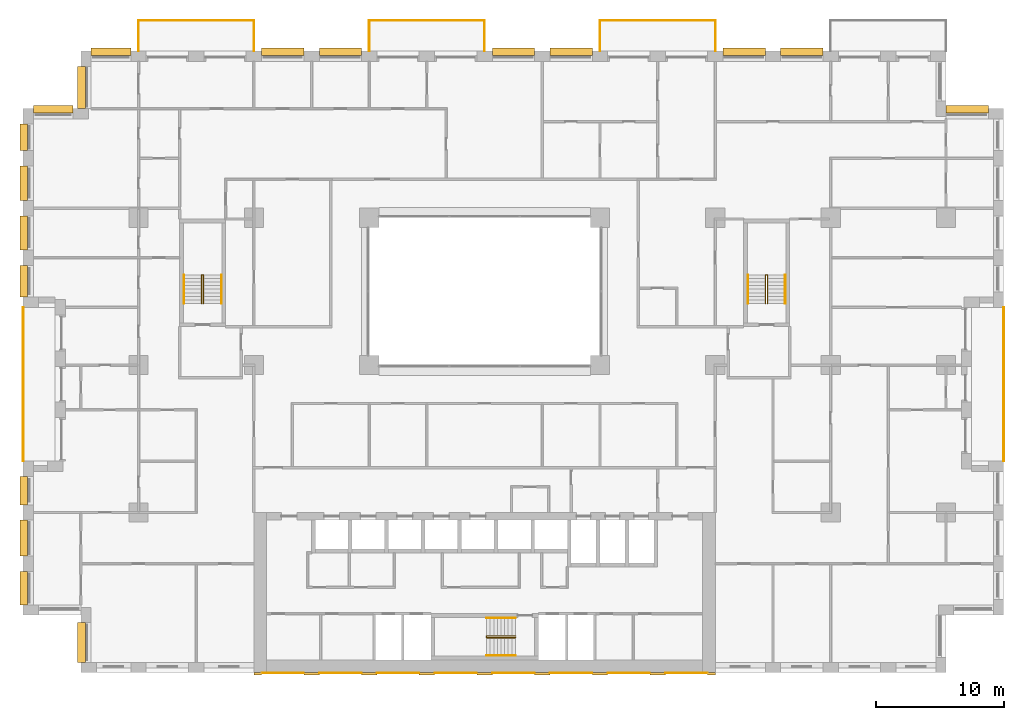
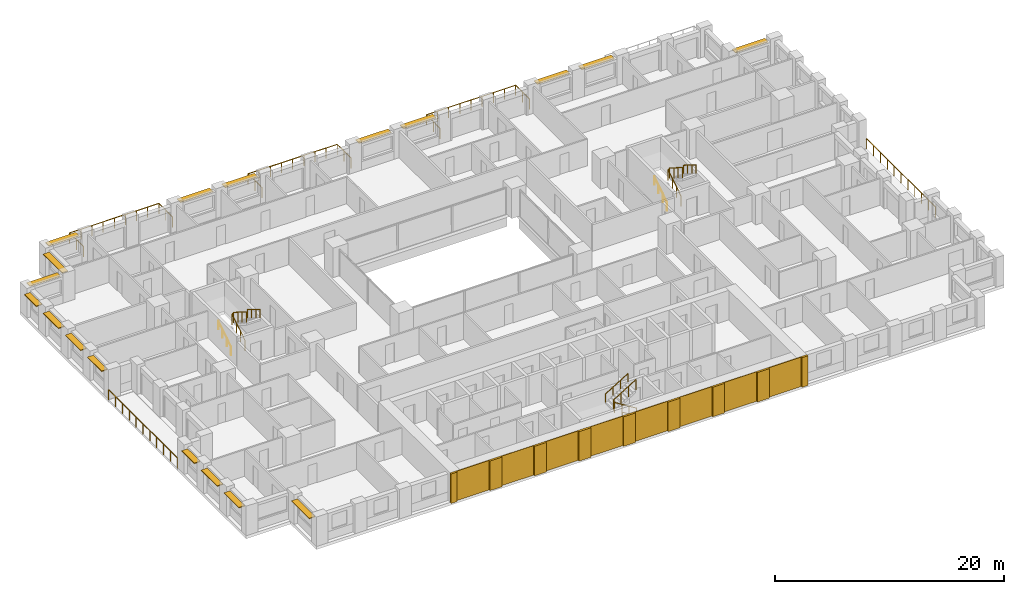
# One storey, part 19 of 20: 18 shading devices, 17 coverings, 14 railings.
"""IFC4 building model written with IfcOpenShell, lengths in metres."""

from ifc_helpers import new_model, si_unit, direction, frame, origin, origin_2d, place, context, subcontext, project, spatial, rectangle, circle, extrude, material, layer, layer_set, type_object, element, save


model = new_model("IFC4")

# Units and contexts
model_context = context("Model", 3, precision=1e-05, world=origin(), true_north=direction((0.0, 1.0)))
body_context = subcontext(model_context, "Body", "Model", "MODEL_VIEW")
ifc_project = project(units=[si_unit("LENGTHUNIT", "METRE"), si_unit("AREAUNIT", "SQUARE_METRE"), si_unit("VOLUMEUNIT", "CUBIC_METRE"), si_unit("PLANEANGLEUNIT", "RADIAN"), si_unit("MASSUNIT", "GRAM", prefix="KILO")], contexts=[model_context])

# Site, building, storey
site_placement = place(None, origin())
site = spatial("IfcSite", under=ifc_project, at=site_placement, CompositionType="ELEMENT")
building_placement = place(site_placement, origin())
building = spatial("IfcBuilding", under=site, at=building_placement, Name="Brigalow Station Residences", CompositionType="ELEMENT")
storey_placement = place(building_placement, frame((0.0, 0.0, 38.39990234375)))
storey = spatial("IfcBuildingStorey", under=building, at=storey_placement, Name="L10", CompositionType="ELEMENT", Elevation=38.39990234375)

# Railings
ifc_material_1 = material(Name="Stainless steel balustrade with laminated glass infill", Category="steel")
railing_type_1 = type_object("IfcRailingType", Name="BALCONY GUARD 1100", PredefinedType="GUARDRAIL", material=ifc_material_1)
railing_1_placement = place(storey_placement, frame((76.5, 16.5, -0.039794921875)))
element("IfcRailing", 1, at=railing_1_placement, inside=storey, type_object=railing_type_1, Name="L10/balcony-guard/1", PredefinedType="GUARDRAIL", context=body_context, shape_type="SweptSolid", body=[
    extrude(circle(Radius=0.02392578125, at=origin_2d()), frame((0.0, 0.0, 1.076171875), z_axis=(0.0, 1.0, 0.0), x_axis=(-1.0, 0.0, 0.0)), (0.0, 0.0, 1.0), 12.0),
    extrude(circle(Radius=0.02099609375, at=origin_2d()), origin(), (0.0, 0.0, 1.0), 1.052001953125),
    extrude(circle(Radius=0.02099609375, at=origin_2d()), frame((0.0, 1.199951171875, 0.0)), (0.0, 0.0, 1.0), 1.052001953125),
    extrude(circle(Radius=0.02099609375, at=origin_2d()), frame((0.0, 2.39990234375, 0.0)), (0.0, 0.0, 1.0), 1.052001953125),
    extrude(circle(Radius=0.02099609375, at=origin_2d()), frame((0.0, 3.60009765625, 0.0)), (0.0, 0.0, 1.0), 1.052001953125),
    extrude(circle(Radius=0.02099609375, at=origin_2d()), frame((0.0, 4.800048828125, 0.0)), (0.0, 0.0, 1.0), 1.052001953125),
    extrude(circle(Radius=0.02099609375, at=origin_2d()), frame((0.0, 6.0, 0.0)), (0.0, 0.0, 1.0), 1.052001953125),
    extrude(circle(Radius=0.02099609375, at=origin_2d()), frame((0.0, 7.199951171875, 0.0)), (0.0, 0.0, 1.0), 1.052001953125),
    extrude(circle(Radius=0.02099609375, at=origin_2d()), frame((0.0, 8.39990234375, 0.0)), (0.0, 0.0, 1.0), 1.052001953125),
    extrude(circle(Radius=0.02099609375, at=origin_2d()), frame((0.0, 9.60009765625, 0.0)), (0.0, 0.0, 1.0), 1.052001953125),
    extrude(circle(Radius=0.02099609375, at=origin_2d()), frame((0.0, 10.800048828125, 0.0)), (0.0, 0.0, 1.0), 1.052001953125),
    extrude(circle(Radius=0.02099609375, at=origin_2d()), frame((0.0, 12.0, 0.0)), (0.0, 0.0, 1.0), 1.052001953125),
])
railing_2_placement = place(storey_placement, frame((54.0, 48.5, -0.039794921875)))
element("IfcRailing", 2, at=railing_2_placement, inside=storey, type_object=railing_type_1, Name="L10/balcony-guard/3", PredefinedType="GUARDRAIL", context=body_context, shape_type="SweptSolid", body=[
    extrude(circle(Radius=0.02392578125, at=origin_2d()), frame((0.0, 0.0, 1.076171875), z_axis=(0.0, 1.0, 0.0), x_axis=(-1.0, 0.0, 0.0)), (0.0, 0.0, 1.0), 2.39990234375),
    extrude(circle(Radius=0.02392578125, at=origin_2d()), frame((0.0, 2.39990234375, 1.076171875), z_axis=(-1.0, 0.0, 0.0), x_axis=(0.0, -1.0, 0.0)), (0.0, 0.0, 1.0), 9.0),
    extrude(circle(Radius=0.02392578125, at=origin_2d()), frame((-9.0, 2.39990234375, 1.076171875), z_axis=(0.0, -1.0, 0.0), x_axis=(1.0, 0.0, 0.0)), (0.0, 0.0, 1.0), 2.39990234375),
    extrude(circle(Radius=0.02099609375, at=origin_2d()), origin(), (0.0, 0.0, 1.0), 1.052001953125),
    extrude(circle(Radius=0.02099609375, at=origin_2d()), frame((0.0, 1.199951171875, 0.0)), (0.0, 0.0, 1.0), 1.052001953125),
    extrude(circle(Radius=0.02099609375, at=origin_2d()), frame((0.0, 2.39990234375, 0.0)), (0.0, 0.0, 1.0), 1.052001953125),
    extrude(circle(Radius=0.02099609375, at=origin_2d()), frame((-1.125, 2.39990234375, 0.0)), (0.0, 0.0, 1.0), 1.052001953125),
    extrude(circle(Radius=0.02099609375, at=origin_2d()), frame((-2.25, 2.39990234375, 0.0)), (0.0, 0.0, 1.0), 1.052001953125),
    extrude(circle(Radius=0.02099609375, at=origin_2d()), frame((-3.375, 2.39990234375, 0.0)), (0.0, 0.0, 1.0), 1.052001953125),
    extrude(circle(Radius=0.02099609375, at=origin_2d()), frame((-4.5, 2.39990234375, 0.0)), (0.0, 0.0, 1.0), 1.052001953125),
    extrude(circle(Radius=0.02099609375, at=origin_2d()), frame((-5.625, 2.39990234375, 0.0)), (0.0, 0.0, 1.0), 1.052001953125),
    extrude(circle(Radius=0.02099609375, at=origin_2d()), frame((-6.75, 2.39990234375, 0.0)), (0.0, 0.0, 1.0), 1.052001953125),
    extrude(circle(Radius=0.02099609375, at=origin_2d()), frame((-7.875, 2.39990234375, 0.0)), (0.0, 0.0, 1.0), 1.052001953125),
    extrude(circle(Radius=0.02099609375, at=origin_2d()), frame((-9.0, 2.39990234375, 0.0)), (0.0, 0.0, 1.0), 1.052001953125),
    extrude(circle(Radius=0.02099609375, at=origin_2d()), frame((-9.0, 1.199951171875, 0.0)), (0.0, 0.0, 1.0), 1.052001953125),
    extrude(circle(Radius=0.02099609375, at=origin_2d()), frame((-9.0, 0.0, 0.0)), (0.0, 0.0, 1.0), 1.052001953125),
])
railing_3_placement = place(storey_placement, frame((36.0, 48.5, -0.039794921875)))
element("IfcRailing", 3, at=railing_3_placement, inside=storey, type_object=railing_type_1, Name="L10/balcony-guard/4", PredefinedType="GUARDRAIL", context=body_context, shape_type="SweptSolid", body=[
    extrude(circle(Radius=0.02392578125, at=origin_2d()), frame((0.0, 0.0, 1.076171875), z_axis=(0.0, 1.0, 0.0), x_axis=(-1.0, 0.0, 0.0)), (0.0, 0.0, 1.0), 2.39990234375),
    extrude(circle(Radius=0.02392578125, at=origin_2d()), frame((0.0, 2.39990234375, 1.076171875), z_axis=(-1.0, 0.0, 0.0), x_axis=(0.0, -1.0, 0.0)), (0.0, 0.0, 1.0), 9.0),
    extrude(circle(Radius=0.02392578125, at=origin_2d()), frame((-9.0, 2.39990234375, 1.076171875), z_axis=(0.0, -1.0, 0.0), x_axis=(1.0, 0.0, 0.0)), (0.0, 0.0, 1.0), 2.39990234375),
    extrude(circle(Radius=0.02099609375, at=origin_2d()), origin(), (0.0, 0.0, 1.0), 1.052001953125),
    extrude(circle(Radius=0.02099609375, at=origin_2d()), frame((0.0, 1.199951171875, 0.0)), (0.0, 0.0, 1.0), 1.052001953125),
    extrude(circle(Radius=0.02099609375, at=origin_2d()), frame((0.0, 2.39990234375, 0.0)), (0.0, 0.0, 1.0), 1.052001953125),
    extrude(circle(Radius=0.02099609375, at=origin_2d()), frame((-1.125, 2.39990234375, 0.0)), (0.0, 0.0, 1.0), 1.052001953125),
    extrude(circle(Radius=0.02099609375, at=origin_2d()), frame((-2.25, 2.39990234375, 0.0)), (0.0, 0.0, 1.0), 1.052001953125),
    extrude(circle(Radius=0.02099609375, at=origin_2d()), frame((-3.375, 2.39990234375, 0.0)), (0.0, 0.0, 1.0), 1.052001953125),
    extrude(circle(Radius=0.02099609375, at=origin_2d()), frame((-4.5, 2.39990234375, 0.0)), (0.0, 0.0, 1.0), 1.052001953125),
    extrude(circle(Radius=0.02099609375, at=origin_2d()), frame((-5.625, 2.39990234375, 0.0)), (0.0, 0.0, 1.0), 1.052001953125),
    extrude(circle(Radius=0.02099609375, at=origin_2d()), frame((-6.75, 2.39990234375, 0.0)), (0.0, 0.0, 1.0), 1.052001953125),
    extrude(circle(Radius=0.02099609375, at=origin_2d()), frame((-7.875, 2.39990234375, 0.0)), (0.0, 0.0, 1.0), 1.052001953125),
    extrude(circle(Radius=0.02099609375, at=origin_2d()), frame((-9.0, 2.39990234375, 0.0)), (0.0, 0.0, 1.0), 1.052001953125),
    extrude(circle(Radius=0.02099609375, at=origin_2d()), frame((-9.0, 1.199951171875, 0.0)), (0.0, 0.0, 1.0), 1.052001953125),
    extrude(circle(Radius=0.02099609375, at=origin_2d()), frame((-9.0, 0.0, 0.0)), (0.0, 0.0, 1.0), 1.052001953125),
])
railing_4_placement = place(storey_placement, frame((18.0, 48.5, -0.039794921875)))
element("IfcRailing", 4, at=railing_4_placement, inside=storey, type_object=railing_type_1, Name="L10/balcony-guard/5", PredefinedType="GUARDRAIL", context=body_context, shape_type="SweptSolid", body=[
    extrude(circle(Radius=0.02392578125, at=origin_2d()), frame((0.0, 0.0, 1.076171875), z_axis=(0.0, 1.0, 0.0), x_axis=(-1.0, 0.0, 0.0)), (0.0, 0.0, 1.0), 2.39990234375),
    extrude(circle(Radius=0.02392578125, at=origin_2d()), frame((0.0, 2.39990234375, 1.076171875), z_axis=(-1.0, 0.0, 0.0), x_axis=(0.0, -1.0, 0.0)), (0.0, 0.0, 1.0), 9.0),
    extrude(circle(Radius=0.02392578125, at=origin_2d()), frame((-9.0, 2.39990234375, 1.076171875), z_axis=(0.0, -1.0, 0.0), x_axis=(1.0, 0.0, 0.0)), (0.0, 0.0, 1.0), 2.39990234375),
    extrude(circle(Radius=0.02099609375, at=origin_2d()), origin(), (0.0, 0.0, 1.0), 1.052001953125),
    extrude(circle(Radius=0.02099609375, at=origin_2d()), frame((0.0, 1.199951171875, 0.0)), (0.0, 0.0, 1.0), 1.052001953125),
    extrude(circle(Radius=0.02099609375, at=origin_2d()), frame((0.0, 2.39990234375, 0.0)), (0.0, 0.0, 1.0), 1.052001953125),
    extrude(circle(Radius=0.02099609375, at=origin_2d()), frame((-1.125, 2.39990234375, 0.0)), (0.0, 0.0, 1.0), 1.052001953125),
    extrude(circle(Radius=0.02099609375, at=origin_2d()), frame((-2.25, 2.39990234375, 0.0)), (0.0, 0.0, 1.0), 1.052001953125),
    extrude(circle(Radius=0.02099609375, at=origin_2d()), frame((-3.375, 2.39990234375, 0.0)), (0.0, 0.0, 1.0), 1.052001953125),
    extrude(circle(Radius=0.02099609375, at=origin_2d()), frame((-4.5, 2.39990234375, 0.0)), (0.0, 0.0, 1.0), 1.052001953125),
    extrude(circle(Radius=0.02099609375, at=origin_2d()), frame((-5.625, 2.39990234375, 0.0)), (0.0, 0.0, 1.0), 1.052001953125),
    extrude(circle(Radius=0.02099609375, at=origin_2d()), frame((-6.75, 2.39990234375, 0.0)), (0.0, 0.0, 1.0), 1.052001953125),
    extrude(circle(Radius=0.02099609375, at=origin_2d()), frame((-7.875, 2.39990234375, 0.0)), (0.0, 0.0, 1.0), 1.052001953125),
    extrude(circle(Radius=0.02099609375, at=origin_2d()), frame((-9.0, 2.39990234375, 0.0)), (0.0, 0.0, 1.0), 1.052001953125),
    extrude(circle(Radius=0.02099609375, at=origin_2d()), frame((-9.0, 1.199951171875, 0.0)), (0.0, 0.0, 1.0), 1.052001953125),
    extrude(circle(Radius=0.02099609375, at=origin_2d()), frame((-9.0, 0.0, 0.0)), (0.0, 0.0, 1.0), 1.052001953125),
])
railing_5_placement = place(storey_placement, frame((0.0, 28.5, -0.039794921875)))
element("IfcRailing", 5, at=railing_5_placement, inside=storey, type_object=railing_type_1, Name="L10/balcony-guard/6", PredefinedType="GUARDRAIL", context=body_context, shape_type="SweptSolid", body=[
    extrude(circle(Radius=0.02392578125, at=origin_2d()), frame((0.0, 0.0, 1.076171875), z_axis=(0.0, -1.0, 0.0), x_axis=(1.0, 0.0, 0.0)), (0.0, 0.0, 1.0), 12.0),
    extrude(circle(Radius=0.02099609375, at=origin_2d()), origin(), (0.0, 0.0, 1.0), 1.052001953125),
    extrude(circle(Radius=0.02099609375, at=origin_2d()), frame((0.0, -1.199951171875, 0.0)), (0.0, 0.0, 1.0), 1.052001953125),
    extrude(circle(Radius=0.02099609375, at=origin_2d()), frame((0.0, -2.39990234375, 0.0)), (0.0, 0.0, 1.0), 1.052001953125),
    extrude(circle(Radius=0.02099609375, at=origin_2d()), frame((0.0, -3.60009765625, 0.0)), (0.0, 0.0, 1.0), 1.052001953125),
    extrude(circle(Radius=0.02099609375, at=origin_2d()), frame((0.0, -4.800048828125, 0.0)), (0.0, 0.0, 1.0), 1.052001953125),
    extrude(circle(Radius=0.02099609375, at=origin_2d()), frame((0.0, -6.0, 0.0)), (0.0, 0.0, 1.0), 1.052001953125),
    extrude(circle(Radius=0.02099609375, at=origin_2d()), frame((0.0, -7.199951171875, 0.0)), (0.0, 0.0, 1.0), 1.052001953125),
    extrude(circle(Radius=0.02099609375, at=origin_2d()), frame((0.0, -8.39990234375, 0.0)), (0.0, 0.0, 1.0), 1.052001953125),
    extrude(circle(Radius=0.02099609375, at=origin_2d()), frame((0.0, -9.60009765625, 0.0)), (0.0, 0.0, 1.0), 1.052001953125),
    extrude(circle(Radius=0.02099609375, at=origin_2d()), frame((0.0, -10.800048828125, 0.0)), (0.0, 0.0, 1.0), 1.052001953125),
    extrude(circle(Radius=0.02099609375, at=origin_2d()), frame((0.0, -12.0, 0.0)), (0.0, 0.0, 1.0), 1.052001953125),
])

# Coverings
ifc_material_2 = material(Name="Clay brick masonry", Category="masonry")
ifc_layer_1 = layer(ifc_material_2, 0.06005859375)
ifc_layer_set_1 = layer_set([ifc_layer_1], Name="BRICK PANEL FACING 60")
covering_type_1 = type_object("IfcCoveringType", Name="BRICK PANEL FACING 60", PredefinedType="CLADDING", material=ifc_layer_set_1)
for number, where, z_axis, x_axis, name in (
    (6, (20.25, -0.030029296875, 0.000244140625), (0.0, 0.0, 1.0), (1.0, 0.0, 0.0), "L10/rear-facing/panel-1"),
    (7, (24.75, -0.030029296875, 0.000244140625), (0.0, 0.0, 1.0), (1.0, 0.0, 0.0), "L10/rear-facing/panel-2"),
    (8, (29.25, -0.030029296875, 0.000244140625), (0.0, 0.0, 1.0), (1.0, 0.0, 0.0), "L10/rear-facing/panel-3"),
    (9, (33.75, -0.030029296875, 0.000244140625), (0.0, 0.0, 1.0), (1.0, 0.0, 0.0), "L10/rear-facing/panel-4"),
    (10, (38.25, -0.030029296875, 0.000244140625), (0.0, 0.0, 1.0), (1.0, 0.0, 0.0), "L10/rear-facing/panel-5"),
    (11, (42.75, -0.030029296875, 0.000244140625), (0.0, 0.0, 1.0), (1.0, 0.0, 0.0), "L10/rear-facing/panel-6"),
    (12, (47.25, -0.030029296875, 0.000244140625), (0.0, 0.0, 1.0), (1.0, 0.0, 0.0), "L10/rear-facing/panel-7"),
    (13, (51.75, -0.030029296875, 0.000244140625), (0.0, 0.0, 1.0), (1.0, 0.0, 0.0), "L10/rear-facing/panel-8"),
):
    element("IfcCovering", number, at=place(storey_placement, frame(where, z_axis=z_axis, x_axis=x_axis)), inside=storey, type_object=covering_type_1, Name=name, PredefinedType="CLADDING", context=body_context, shape_type="SweptSolid", body=[
        extrude(rectangle(XDim=3.300048828125, YDim=0.06005859375, at=origin_2d()), origin(), (0.0, 0.0, 1.0), 3.14990234375),
    ])
ifc_material_3 = material(Name="Clay brick masonry", Category="masonry")
ifc_layer_2 = layer(ifc_material_3, 0.199951171875)
ifc_layer_set_2 = layer_set([ifc_layer_2], Name="BRICK PIER FACING 200")
covering_type_2 = type_object("IfcCoveringType", Name="BRICK PIER FACING 200", PredefinedType="CLADDING", material=ifc_layer_set_2)
covering_1_placement = place(storey_placement, frame((18.300048828125, -0.10009765625, 0.000244140625), z_axis=(0.0, 0.0, 1.0), x_axis=(1.0, 0.0, 0.0)))
element("IfcCovering", 14, at=covering_1_placement, inside=storey, type_object=covering_type_2, Name="L10/rear-facing/pier-1", PredefinedType="CLADDING", context=body_context, shape_type="SweptSolid", body=[
    extrude(rectangle(XDim=0.60009765625, YDim=0.199951171875, at=origin_2d()), origin(), (0.0, 0.0, 1.0), 3.14990234375),
])
for number, where, z_axis, x_axis, name in (
    (15, (22.5, -0.10009765625, 0.000244140625), (0.0, 0.0, 1.0), (1.0, 0.0, 0.0), "L10/rear-facing/pier-2"),
    (16, (27.0, -0.10009765625, 0.000244140625), (0.0, 0.0, 1.0), (1.0, 0.0, 0.0), "L10/rear-facing/pier-3"),
    (17, (31.5, -0.10009765625, 0.000244140625), (0.0, 0.0, 1.0), (1.0, 0.0, 0.0), "L10/rear-facing/pier-4"),
    (18, (36.0, -0.10009765625, 0.000244140625), (0.0, 0.0, 1.0), (1.0, 0.0, 0.0), "L10/rear-facing/pier-5"),
    (19, (40.5, -0.10009765625, 0.000244140625), (0.0, 0.0, 1.0), (1.0, 0.0, 0.0), "L10/rear-facing/pier-6"),
    (20, (45.0, -0.10009765625, 0.000244140625), (0.0, 0.0, 1.0), (1.0, 0.0, 0.0), "L10/rear-facing/pier-7"),
    (21, (49.5, -0.10009765625, 0.000244140625), (0.0, 0.0, 1.0), (1.0, 0.0, 0.0), "L10/rear-facing/pier-8"),
):
    element("IfcCovering", number, at=place(storey_placement, frame(where, z_axis=z_axis, x_axis=x_axis)), inside=storey, type_object=covering_type_2, Name=name, PredefinedType="CLADDING", context=body_context, shape_type="SweptSolid", body=[
        extrude(rectangle(XDim=1.199951171875, YDim=0.199951171875, at=origin_2d()), origin(), (0.0, 0.0, 1.0), 3.14990234375),
    ])
covering_2_placement = place(storey_placement, frame((53.699951171875, -0.10009765625, 0.000244140625), z_axis=(0.0, 0.0, 1.0), x_axis=(1.0, 0.0, 0.0)))
element("IfcCovering", 22, at=covering_2_placement, inside=storey, type_object=covering_type_2, Name="L10/rear-facing/pier-9", PredefinedType="CLADDING", context=body_context, shape_type="SweptSolid", body=[
    extrude(rectangle(XDim=0.60009765625, YDim=0.199951171875, at=origin_2d()), origin(), (0.0, 0.0, 1.0), 3.14990234375),
])

# Railings
ifc_material_4 = material(Name="Stainless steel balustrade", Category="steel")
railing_type_2 = type_object("IfcRailingType", Name="STAIR GUARD 1100", PredefinedType="GUARDRAIL", material=ifc_material_4)
railing_6_placement = place(storey_placement, frame((38.39990234375, 2.72998046875, 0.175048828125)))
element("IfcRailing", 23, at=railing_6_placement, inside=storey, type_object=railing_type_2, Name="GUARD GR-2", PredefinedType="GUARDRAIL", context=body_context, shape_type="SweptSolid", body=[
    extrude(circle(Radius=0.02392578125, at=origin_2d()), frame((0.0, 0.0, 1.076171875), z_axis=(-0.847972341737, 0.0, 0.530040477369), x_axis=(0.0, -1.0, 0.0)), (0.0, 0.0, 1.0), 2.6416015625),
    extrude(circle(Radius=0.02392578125, at=origin_2d()), frame((-2.239990234375, 0.0, 2.47607421875), z_axis=(0.0, 0.62549206879, 0.780230524833), x_axis=(-1.0, 0.0, 0.0)), (0.0, 0.0, 1.0), 0.22412109375),
    extrude(circle(Radius=0.02392578125, at=origin_2d()), frame((-2.239990234375, 0.14013671875, 2.65087890625), z_axis=(0.847972341737, 0.0, 0.530040477369), x_axis=(0.0, 1.0, 0.0)), (0.0, 0.0, 1.0), 2.6416015625),
    extrude(circle(Radius=0.02099609375, at=origin_2d()), origin(), (0.0, 0.0, 1.0), 1.052001953125),
    extrude(circle(Radius=0.02099609375, at=origin_2d()), frame((-0.74658203125, 0.0, 0.466796875)), (0.0, 0.0, 1.0), 1.052001953125),
    extrude(circle(Radius=0.02099609375, at=origin_2d()), frame((-1.493408203125, 0.0, 0.933349609375)), (0.0, 0.0, 1.0), 1.052001953125),
    extrude(circle(Radius=0.02099609375, at=origin_2d()), frame((-2.239990234375, 0.0, 1.400146484375)), (0.0, 0.0, 1.0), 1.052001953125),
    extrude(circle(Radius=0.02099609375, at=origin_2d()), frame((-2.239990234375, 0.14013671875, 1.574951171875)), (0.0, 0.0, 1.0), 1.052001953125),
    extrude(circle(Radius=0.02099609375, at=origin_2d()), frame((-1.493408203125, 0.14013671875, 2.041748046875)), (0.0, 0.0, 1.0), 1.052001953125),
    extrude(circle(Radius=0.02099609375, at=origin_2d()), frame((-0.74658203125, 0.14013671875, 2.50830078125)), (0.0, 0.0, 1.0), 1.052001953125),
    extrude(circle(Radius=0.02099609375, at=origin_2d()), frame((0.0, 0.14013671875, 2.97509765625)), (0.0, 0.0, 1.0), 1.052001953125),
])
for number, where, name in (
    (24, (13.929931640625, 28.800048828125, 0.175048828125), "GUARD GR-1"),
    (25, (57.929931640625, 28.800048828125, 0.175048828125), "GUARD GR-3"),
):
    element("IfcRailing", number, at=place(storey_placement, frame(where)), inside=storey, type_object=railing_type_2, Name=name, PredefinedType="GUARDRAIL", context=body_context, shape_type="SweptSolid", body=[
        extrude(circle(Radius=0.02392578125, at=origin_2d()), frame((0.0, 0.0, 1.076171875), z_axis=(0.0, 0.847972341737, 0.530040477369), x_axis=(-1.0, 0.0, 0.0)), (0.0, 0.0, 1.0), 2.6416015625),
        extrude(circle(Radius=0.02392578125, at=origin_2d()), frame((0.0, 2.239990234375, 2.47607421875), z_axis=(0.62549206879, 0.0, 0.780230524833), x_axis=(0.0, 1.0, 0.0)), (0.0, 0.0, 1.0), 0.22412109375),
        extrude(circle(Radius=0.02392578125, at=origin_2d()), frame((0.14013671875, 2.239990234375, 2.65087890625), z_axis=(0.0, -0.847972341737, 0.530040477369), x_axis=(1.0, 0.0, 0.0)), (0.0, 0.0, 1.0), 2.6416015625),
        extrude(circle(Radius=0.02099609375, at=origin_2d()), origin(), (0.0, 0.0, 1.0), 1.052001953125),
        extrude(circle(Radius=0.02099609375, at=origin_2d()), frame((0.0, 0.74658203125, 0.466796875)), (0.0, 0.0, 1.0), 1.052001953125),
        extrude(circle(Radius=0.02099609375, at=origin_2d()), frame((0.0, 1.493408203125, 0.933349609375)), (0.0, 0.0, 1.0), 1.052001953125),
        extrude(circle(Radius=0.02099609375, at=origin_2d()), frame((0.0, 2.239990234375, 1.400146484375)), (0.0, 0.0, 1.0), 1.052001953125),
        extrude(circle(Radius=0.02099609375, at=origin_2d()), frame((0.14013671875, 2.239990234375, 1.574951171875)), (0.0, 0.0, 1.0), 1.052001953125),
        extrude(circle(Radius=0.02099609375, at=origin_2d()), frame((0.14013671875, 1.493408203125, 2.041748046875)), (0.0, 0.0, 1.0), 1.052001953125),
        extrude(circle(Radius=0.02099609375, at=origin_2d()), frame((0.14013671875, 0.74658203125, 2.50830078125)), (0.0, 0.0, 1.0), 1.052001953125),
        extrude(circle(Radius=0.02099609375, at=origin_2d()), frame((0.14013671875, 0.0, 2.97509765625)), (0.0, 0.0, 1.0), 1.052001953125),
    ])
ifc_material_5 = material(Name="Stainless steel handrail", Category="steel")
railing_type_3 = type_object("IfcRailingType", Name="STAIR HANDRAIL 900", PredefinedType="HANDRAIL", material=ifc_material_5)
railing_7_placement = place(storey_placement, frame((38.39990234375, 1.340087890625, 0.175048828125)))
element("IfcRailing", 26, at=railing_7_placement, inside=storey, type_object=railing_type_3, Name="HANDRAIL HR-21", PredefinedType="HANDRAIL", context=body_context, shape_type="SweptSolid", body=[
    extrude(circle(Radius=0.02392578125, at=origin_2d()), frame((0.0, 0.0, 0.8759765625), z_axis=(-0.847972341737, 0.0, 0.530040477369), x_axis=(0.0, -1.0, 0.0)), (0.0, 0.0, 1.0), 2.6416015625),
    extrude(circle(Radius=0.02099609375, at=origin_2d()), origin(), (0.0, 0.0, 1.0), 0.851806640625),
    extrude(circle(Radius=0.02099609375, at=origin_2d()), frame((-0.74658203125, 0.0, 0.466796875)), (0.0, 0.0, 1.0), 0.851806640625),
    extrude(circle(Radius=0.02099609375, at=origin_2d()), frame((-1.493408203125, 0.0, 0.933349609375)), (0.0, 0.0, 1.0), 0.851806640625),
    extrude(circle(Radius=0.02099609375, at=origin_2d()), frame((-2.239990234375, 0.0, 1.400146484375)), (0.0, 0.0, 1.0), 0.851806640625),
])
railing_8_placement = place(storey_placement, frame((36.159912109375, 4.260009765625, 1.75)))
element("IfcRailing", 27, at=railing_8_placement, inside=storey, type_object=railing_type_3, Name="HANDRAIL HR-22", PredefinedType="HANDRAIL", context=body_context, shape_type="SweptSolid", body=[
    extrude(circle(Radius=0.02392578125, at=origin_2d()), frame((0.0, 0.0, 0.8759765625), z_axis=(0.847972341737, 0.0, 0.530040477369), x_axis=(0.0, 1.0, 0.0)), (0.0, 0.0, 1.0), 2.6416015625),
    extrude(circle(Radius=0.02099609375, at=origin_2d()), origin(), (0.0, 0.0, 1.0), 0.851806640625),
    extrude(circle(Radius=0.02099609375, at=origin_2d()), frame((0.74658203125, 0.0, 0.466796875)), (0.0, 0.0, 1.0), 0.851806640625),
    extrude(circle(Radius=0.02099609375, at=origin_2d()), frame((1.493408203125, 0.0, 0.933349609375)), (0.0, 0.0, 1.0), 0.851806640625),
    extrude(circle(Radius=0.02099609375, at=origin_2d()), frame((2.239990234375, 0.0, 1.400146484375)), (0.0, 0.0, 1.0), 0.851806640625),
])
railing_9_placement = place(storey_placement, frame((12.5400390625, 28.800048828125, 0.175048828125)))
element("IfcRailing", 28, at=railing_9_placement, inside=storey, type_object=railing_type_3, Name="HANDRAIL HR-11", PredefinedType="HANDRAIL", context=body_context, shape_type="SweptSolid", body=[
    extrude(circle(Radius=0.02392578125, at=origin_2d()), frame((0.0, 0.0, 0.8759765625), z_axis=(0.0, 0.847972341737, 0.530040477369), x_axis=(-1.0, 0.0, 0.0)), (0.0, 0.0, 1.0), 2.6416015625),
    extrude(circle(Radius=0.02099609375, at=origin_2d()), origin(), (0.0, 0.0, 1.0), 0.851806640625),
    extrude(circle(Radius=0.02099609375, at=origin_2d()), frame((0.0, 0.74658203125, 0.466796875)), (0.0, 0.0, 1.0), 0.851806640625),
    extrude(circle(Radius=0.02099609375, at=origin_2d()), frame((0.0, 1.493408203125, 0.933349609375)), (0.0, 0.0, 1.0), 0.851806640625),
    extrude(circle(Radius=0.02099609375, at=origin_2d()), frame((0.0, 2.239990234375, 1.400146484375)), (0.0, 0.0, 1.0), 0.851806640625),
])
railing_10_placement = place(storey_placement, frame((15.4599609375, 31.0400390625, 1.75)))
element("IfcRailing", 29, at=railing_10_placement, inside=storey, type_object=railing_type_3, Name="HANDRAIL HR-12", PredefinedType="HANDRAIL", context=body_context, shape_type="SweptSolid", body=[
    extrude(circle(Radius=0.02392578125, at=origin_2d()), frame((0.0, 0.0, 0.8759765625), z_axis=(0.0, -0.847972341737, 0.530040477369), x_axis=(1.0, 0.0, 0.0)), (0.0, 0.0, 1.0), 2.6416015625),
    extrude(circle(Radius=0.02099609375, at=origin_2d()), origin(), (0.0, 0.0, 1.0), 0.851806640625),
    extrude(circle(Radius=0.02099609375, at=origin_2d()), frame((0.0, -0.74658203125, 0.466796875)), (0.0, 0.0, 1.0), 0.851806640625),
    extrude(circle(Radius=0.02099609375, at=origin_2d()), frame((0.0, -1.493408203125, 0.933349609375)), (0.0, 0.0, 1.0), 0.851806640625),
    extrude(circle(Radius=0.02099609375, at=origin_2d()), frame((0.0, -2.239990234375, 1.400146484375)), (0.0, 0.0, 1.0), 0.851806640625),
])
railing_11_placement = place(storey_placement, frame((56.5400390625, 28.800048828125, 0.175048828125)))
element("IfcRailing", 30, at=railing_11_placement, inside=storey, type_object=railing_type_3, Name="HANDRAIL HR-31", PredefinedType="HANDRAIL", context=body_context, shape_type="SweptSolid", body=[
    extrude(circle(Radius=0.02392578125, at=origin_2d()), frame((0.0, 0.0, 0.8759765625), z_axis=(0.0, 0.847972341737, 0.530040477369), x_axis=(-1.0, 0.0, 0.0)), (0.0, 0.0, 1.0), 2.6416015625),
    extrude(circle(Radius=0.02099609375, at=origin_2d()), origin(), (0.0, 0.0, 1.0), 0.851806640625),
    extrude(circle(Radius=0.02099609375, at=origin_2d()), frame((0.0, 0.74658203125, 0.466796875)), (0.0, 0.0, 1.0), 0.851806640625),
    extrude(circle(Radius=0.02099609375, at=origin_2d()), frame((0.0, 1.493408203125, 0.933349609375)), (0.0, 0.0, 1.0), 0.851806640625),
    extrude(circle(Radius=0.02099609375, at=origin_2d()), frame((0.0, 2.239990234375, 1.400146484375)), (0.0, 0.0, 1.0), 0.851806640625),
])
railing_12_placement = place(storey_placement, frame((59.4599609375, 31.0400390625, 1.75)))
element("IfcRailing", 31, at=railing_12_placement, inside=storey, type_object=railing_type_3, Name="HANDRAIL HR-32", PredefinedType="HANDRAIL", context=body_context, shape_type="SweptSolid", body=[
    extrude(circle(Radius=0.02392578125, at=origin_2d()), frame((0.0, 0.0, 0.8759765625), z_axis=(0.0, -0.847972341737, 0.530040477369), x_axis=(1.0, 0.0, 0.0)), (0.0, 0.0, 1.0), 2.6416015625),
    extrude(circle(Radius=0.02099609375, at=origin_2d()), origin(), (0.0, 0.0, 1.0), 0.851806640625),
    extrude(circle(Radius=0.02099609375, at=origin_2d()), frame((0.0, -0.74658203125, 0.466796875)), (0.0, 0.0, 1.0), 0.851806640625),
    extrude(circle(Radius=0.02099609375, at=origin_2d()), frame((0.0, -1.493408203125, 0.933349609375)), (0.0, 0.0, 1.0), 0.851806640625),
    extrude(circle(Radius=0.02099609375, at=origin_2d()), frame((0.0, -2.239990234375, 1.400146484375)), (0.0, 0.0, 1.0), 0.851806640625),
])

# Shading devices
ifc_material_6 = material(Name="Powder-coated extruded aluminium blade", Category="aluminium")
ifc_layer_3 = layer(ifc_material_6, 0.080078125)
ifc_layer_set_3 = layer_set([ifc_layer_3], Name="SUNSHADE BLADE 600x80")
shading_device_type = type_object("IfcShadingDeviceType", Name="SUNSHADE BLADE 600x80", PredefinedType="JALOUSIE", material=ifc_layer_set_3)
for number, where, z_axis, x_axis, name in (
    (32, (73.64990234375, 43.949951171875, 2.550048828125), (0.0, 0.0, 1.0), (-1.0, 0.0, 0.0), "L10/blade/W-L10-23"),
    (33, (60.75, 48.449951171875, 2.550048828125), (0.0, 0.0, 1.0), (-1.0, 0.0, 0.0), "L10/blade/W-L10-27"),
    (34, (56.25, 48.449951171875, 2.550048828125), (0.0, 0.0, 1.0), (-1.0, 0.0, 0.0), "L10/blade/W-L10-28"),
    (35, (42.75, 48.449951171875, 2.550048828125), (0.0, 0.0, 1.0), (-1.0, 0.0, 0.0), "L10/blade/W-L10-31"),
    (36, (38.25, 48.449951171875, 2.550048828125), (0.0, 0.0, 1.0), (-1.0, 0.0, 0.0), "L10/blade/W-L10-32"),
    (37, (24.75, 48.449951171875, 2.550048828125), (0.0, 0.0, 1.0), (-1.0, 0.0, 0.0), "L10/blade/W-L10-35"),
    (38, (20.25, 48.449951171875, 2.550048828125), (0.0, 0.0, 1.0), (-1.0, 0.0, 0.0), "L10/blade/W-L10-36"),
):
    element("IfcShadingDevice", number, at=place(storey_placement, frame(where, z_axis=z_axis, x_axis=x_axis)), inside=storey, type_object=shading_device_type, Name=name, PredefinedType="JALOUSIE", context=body_context, shape_type="SweptSolid", body=[
        extrude(rectangle(XDim=3.300048828125, YDim=0.60009765625, at=origin_2d()), origin(), (0.0, 0.0, 1.0), 0.080078125),
    ])
shading_device_1_placement = place(storey_placement, frame((6.85009765625, 48.449951171875, 2.550048828125), z_axis=(0.0, 0.0, 1.0), x_axis=(-1.0, 0.0, 0.0)))
element("IfcShadingDevice", 39, at=shading_device_1_placement, inside=storey, type_object=shading_device_type, Name="L10/blade/W-L10-39", PredefinedType="JALOUSIE", context=body_context, shape_type="SweptSolid", body=[
    extrude(rectangle(XDim=3.10009765625, YDim=0.60009765625, at=origin_2d()), origin(), (0.0, 0.0, 1.0), 0.080078125),
])
shading_device_2_placement = place(storey_placement, frame((4.550048828125, 45.64990234375, 2.550048828125), z_axis=(0.0, 0.0, 1.0), x_axis=(0.0, -1.0, 0.0)))
element("IfcShadingDevice", 40, at=shading_device_2_placement, inside=storey, type_object=shading_device_type, Name="L10/blade/W-L10-40", PredefinedType="JALOUSIE", context=body_context, shape_type="SweptSolid", body=[
    extrude(rectangle(XDim=3.300048828125, YDim=0.60009765625, at=origin_2d()), origin(), (0.0, 0.0, 1.0), 0.080078125),
])
shading_device_3_placement = place(storey_placement, frame((2.35009765625, 43.949951171875, 2.550048828125), z_axis=(0.0, 0.0, 1.0), x_axis=(-1.0, 0.0, 0.0)))
element("IfcShadingDevice", 41, at=shading_device_3_placement, inside=storey, type_object=shading_device_type, Name="L10/blade/W-L10-41", PredefinedType="JALOUSIE", context=body_context, shape_type="SweptSolid", body=[
    extrude(rectangle(XDim=3.10009765625, YDim=0.60009765625, at=origin_2d()), origin(), (0.0, 0.0, 1.0), 0.080078125),
])
shading_device_4_placement = place(storey_placement, frame((0.050048828125, 41.762451171875, 2.550048828125), z_axis=(0.0, 0.0, 1.0), x_axis=(0.0, -1.0, 0.0)))
element("IfcShadingDevice", 42, at=shading_device_4_placement, inside=storey, type_object=shading_device_type, Name="L10/blade/W-L10-42", PredefinedType="JALOUSIE", context=body_context, shape_type="SweptSolid", body=[
    extrude(rectangle(XDim=2.074951171875, YDim=0.60009765625, at=origin_2d()), origin(), (0.0, 0.0, 1.0), 0.080078125),
])
for number, where, z_axis, x_axis, name in (
    (43, (0.050048828125, 38.1875, 2.550048828125), (0.0, 0.0, 1.0), (0.0, -1.0, 0.0), "L10/blade/W-L10-43"),
    (44, (0.050048828125, 34.3125, 2.550048828125), (0.0, 0.0, 1.0), (0.0, -1.0, 0.0), "L10/blade/W-L10-44"),
):
    element("IfcShadingDevice", number, at=place(storey_placement, frame(where, z_axis=z_axis, x_axis=x_axis)), inside=storey, type_object=shading_device_type, Name=name, PredefinedType="JALOUSIE", context=body_context, shape_type="SweptSolid", body=[
        extrude(rectangle(XDim=2.675048828125, YDim=0.60009765625, at=origin_2d()), origin(), (0.0, 0.0, 1.0), 0.080078125),
    ])
shading_device_5_placement = place(storey_placement, frame((0.050048828125, 30.53759765625, 2.550048828125), z_axis=(0.0, 0.0, 1.0), x_axis=(0.0, -1.0, 0.0)))
element("IfcShadingDevice", 45, at=shading_device_5_placement, inside=storey, type_object=shading_device_type, Name="L10/blade/W-L10-45", PredefinedType="JALOUSIE", context=body_context, shape_type="SweptSolid", body=[
    extrude(rectangle(XDim=2.47509765625, YDim=0.60009765625, at=origin_2d()), origin(), (0.0, 0.0, 1.0), 0.080078125),
])
shading_device_6_placement = place(storey_placement, frame((0.050048828125, 14.199951171875, 2.550048828125), z_axis=(0.0, 0.0, 1.0), x_axis=(0.0, -1.0, 0.0)))
element("IfcShadingDevice", 46, at=shading_device_6_placement, inside=storey, type_object=shading_device_type, Name="L10/blade/W-L10-51", PredefinedType="JALOUSIE", context=body_context, shape_type="SweptSolid", body=[
    extrude(rectangle(XDim=2.199951171875, YDim=0.60009765625, at=origin_2d()), origin(), (0.0, 0.0, 1.0), 0.080078125),
])
shading_device_7_placement = place(storey_placement, frame((0.050048828125, 10.5, 2.550048828125), z_axis=(0.0, 0.0, 1.0), x_axis=(0.0, -1.0, 0.0)))
element("IfcShadingDevice", 47, at=shading_device_7_placement, inside=storey, type_object=shading_device_type, Name="L10/blade/W-L10-52", PredefinedType="JALOUSIE", context=body_context, shape_type="SweptSolid", body=[
    extrude(rectangle(XDim=2.800048828125, YDim=0.60009765625, at=origin_2d()), origin(), (0.0, 0.0, 1.0), 0.080078125),
])
shading_device_8_placement = place(storey_placement, frame((0.050048828125, 6.60009765625, 2.550048828125), z_axis=(0.0, 0.0, 1.0), x_axis=(0.0, -1.0, 0.0)))
element("IfcShadingDevice", 48, at=shading_device_8_placement, inside=storey, type_object=shading_device_type, Name="L10/blade/W-L10-53", PredefinedType="JALOUSIE", context=body_context, shape_type="SweptSolid", body=[
    extrude(rectangle(XDim=2.60009765625, YDim=0.60009765625, at=origin_2d()), origin(), (0.0, 0.0, 1.0), 0.080078125),
])
shading_device_9_placement = place(storey_placement, frame((4.550048828125, 2.35009765625, 2.550048828125), z_axis=(0.0, 0.0, 1.0), x_axis=(0.0, -1.0, 0.0)))
element("IfcShadingDevice", 49, at=shading_device_9_placement, inside=storey, type_object=shading_device_type, Name="L10/blade/W-L10-55", PredefinedType="JALOUSIE", context=body_context, shape_type="SweptSolid", body=[
    extrude(rectangle(XDim=3.10009765625, YDim=0.60009765625, at=origin_2d()), origin(), (0.0, 0.0, 1.0), 0.080078125),
])

save(model, "model.ifc")
